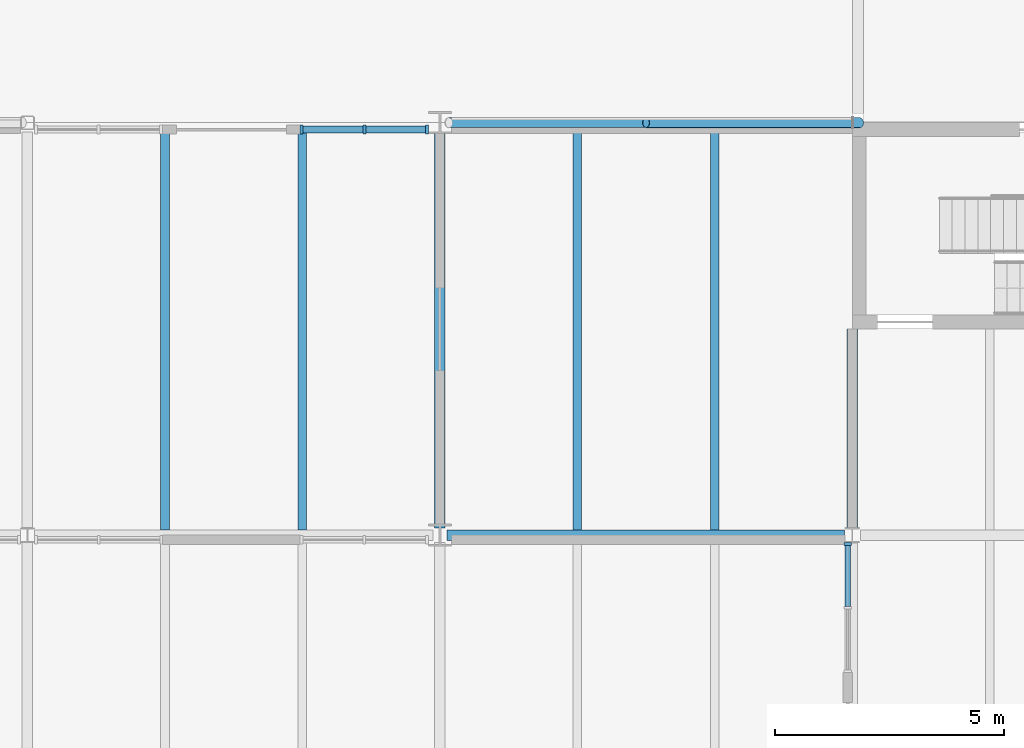
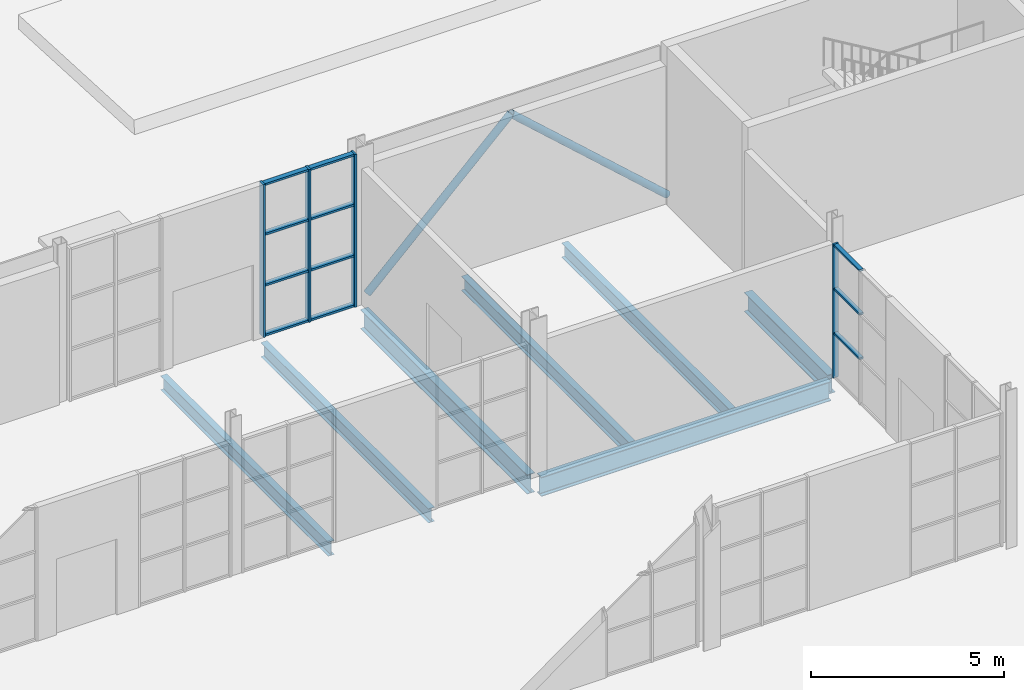
# One storey, part 19 of 63: 17 members, 7 beams, 2 elements without a shape of their own.
"""IFC4 building model written with IfcOpenShell, lengths in metres."""

from ifc_helpers import new_model, si_unit, direction, frame, origin, origin_2d, place, context, subcontext, project, spatial, rectangle, hollow_circle, i_section, extrude, material, layer, layer_set, material_profile, profile_set, type_object, element, aggregate, save


model = new_model("IFC4")

# Units and contexts
model_context = context("Model", 3, precision=1e-05, world=origin(), true_north=direction((0.0, 1.0)))
body_context = subcontext(model_context, "Body", "Model", "MODEL_VIEW")
ifc_project = project(units=[si_unit("LENGTHUNIT", "METRE"), si_unit("AREAUNIT", "SQUARE_METRE"), si_unit("VOLUMEUNIT", "CUBIC_METRE"), si_unit("PLANEANGLEUNIT", "RADIAN"), si_unit("MASSUNIT", "GRAM", prefix="KILO")], contexts=[model_context])

# Site, building, storey
site_placement = place(None, origin())
site = spatial("IfcSite", under=ifc_project, at=site_placement, CompositionType="ELEMENT")
building_placement = place(site_placement, origin())
building = spatial("IfcBuilding", under=site, at=building_placement, Name="Halyard Row Museum", CompositionType="ELEMENT")
storey_placement = place(building_placement, origin())
storey = spatial("IfcBuildingStorey", under=building, at=storey_placement, Name="L00", CompositionType="ELEMENT", Elevation=0.0)

# Members
ifc_material_1 = material(Name="Steel Grade C350L0", Category="steel")
ifc_material_profile_1 = material_profile(ifc_material_1, hollow_circle(Radius=0.109619140625, WallThickness=0.00830078125, at=origin_2d()), Name="219.1x8.2CHS")
ifc_profile_set_1 = profile_set([ifc_material_profile_1], Name="Steel Grade C350L0")
member_type_1 = type_object("IfcMemberType", Name="Brace 219.1x8.2CHS", PredefinedType="BRACE", material=ifc_profile_set_1)
member_1_placement = place(storey_placement, frame((54.199951171875, 45.0, 0.109619140625), z_axis=(0.715770057634, 0.0, 0.698336039879), x_axis=(0.0, 1.0, 0.0)))
element("IfcMember", 1, at=member_1_placement, inside=storey, type_object=member_type_1, Name="Brace L00 Y45 54-63 A", PredefinedType="BRACE", context=body_context, shape_type="SweptSolid", body=[
    extrude(hollow_circle(Radius=0.109619140625, WallThickness=0.00830078125, at=origin_2d()), origin(), (0.0, 0.0, 1.0), 6.007568359375),
])
member_2_placement = place(storey_placement, frame((63.169921875, 45.0, 0.109619140625), z_axis=(-0.744148559148, 0.0, 0.668014162962), x_axis=(0.0, -1.0, 0.0)))
element("IfcMember", 2, at=member_2_placement, inside=storey, type_object=member_type_1, Name="Brace L00 Y45 54-63 B", PredefinedType="BRACE", context=body_context, shape_type="SweptSolid", body=[
    extrude(hollow_circle(Radius=0.109619140625, WallThickness=0.00830078125, at=origin_2d()), origin(), (0.0, 0.0, 1.0), 6.275634765625),
])

# Curtain wall, members
ifc_material_2 = material(Name="Double glazed unit, low-emissivity", Category="glass")
ifc_layer_1 = layer(ifc_material_2, 0.199951171875)
ifc_layer_set_1 = layer_set([ifc_layer_1], Name="Double glazed unit, low-emissivity")
curtain_wall_type_1 = type_object("IfcCurtainWallType", Name="Curtain wall shopfront 200 deep", PredefinedType="NOTDEFINED", material=ifc_layer_set_1)
curtain_wall_1_placement = place(storey_placement, origin())
curtain_wall_1 = element("IfcCurtainWall", 3, at=curtain_wall_1_placement, inside=storey, type_object=curtain_wall_type_1, Name="Curtain wall CW009", PredefinedType="NOTDEFINED")
ifc_material_3 = material(Name="Powder-coated aluminium section", Category="aluminium")
ifc_material_profile_2 = material_profile(ifc_material_3, rectangle(XDim=0.199951171875, YDim=0.06494140625, at=origin_2d()), Name="200x65 mullion")
ifc_profile_set_2 = profile_set([ifc_material_profile_2], Name="Powder-coated aluminium section")
member_type_2 = type_object("IfcMemberType", Name="Curtain wall mullion CM1 65 x 200", PredefinedType="MULLION", material=ifc_profile_set_2)
member_3_placement = place(storey_placement, frame((53.717529296875, 44.85009765625, 0.0), z_axis=(0.0, 0.0, 1.0), x_axis=(0.0, -1.0, 0.0)))
member_3 = element("IfcMember", 4, at=member_3_placement, type_object=member_type_2, Name="CW009 mullion 1", PredefinedType="MULLION", context=body_context, shape_type="SweptSolid", body=[
    extrude(rectangle(XDim=0.199951171875, YDim=0.06494140625, at=origin_2d()), origin(), (0.0, 0.0, 1.0), 4.8349609375),
])
member_4_placement = place(storey_placement, frame((52.35009765625, 44.85009765625, 0.0), z_axis=(0.0, 0.0, 1.0), x_axis=(0.0, -1.0, 0.0)))
member_4 = element("IfcMember", 5, at=member_4_placement, type_object=member_type_2, Name="CW009 mullion 2", PredefinedType="MULLION", context=body_context, shape_type="SweptSolid", body=[
    extrude(rectangle(XDim=0.199951171875, YDim=0.06494140625, at=origin_2d()), origin(), (0.0, 0.0, 1.0), 4.8349609375),
])
member_5_placement = place(storey_placement, frame((50.982421875, 44.85009765625, 0.0), z_axis=(0.0, 0.0, 1.0), x_axis=(0.0, -1.0, 0.0)))
member_5 = element("IfcMember", 6, at=member_5_placement, type_object=member_type_2, Name="CW009 mullion 3", PredefinedType="MULLION", context=body_context, shape_type="SweptSolid", body=[
    extrude(rectangle(XDim=0.199951171875, YDim=0.06494140625, at=origin_2d()), origin(), (0.0, 0.0, 1.0), 4.8349609375),
])

# Curtain wall, member
ifc_material_4 = material(Name="Fire-resisting laminated glazing", Category="glass")
ifc_layer_2 = layer(ifc_material_4, 0.159912109375)
ifc_layer_set_2 = layer_set([ifc_layer_2], Name="Fire-resisting laminated glazing")
curtain_wall_type_2 = type_object("IfcCurtainWallType", Name="Curtain wall atrium screen 160 deep", PredefinedType="NOTDEFINED", material=ifc_layer_set_2)
curtain_wall_2_placement = place(storey_placement, origin())
curtain_wall_2 = element("IfcCurtainWall", 7, at=curtain_wall_2_placement, inside=storey, type_object=curtain_wall_type_2, Name="Curtain wall CW129", PredefinedType="NOTDEFINED")
ifc_material_5 = material(Name="Powder-coated aluminium section", Category="aluminium")
ifc_material_profile_3 = material_profile(ifc_material_5, rectangle(XDim=0.159912109375, YDim=0.06005859375, at=origin_2d()), Name="160x60 mullion")
ifc_profile_set_3 = profile_set([ifc_material_profile_3], Name="Powder-coated aluminium section")
member_type_3 = type_object("IfcMemberType", Name="Curtain wall mullion CM5 60 x 160", PredefinedType="MULLION", material=ifc_profile_set_3)
member_6_placement = place(storey_placement, frame((62.89990234375, 35.806396484375, 0.0), z_axis=(0.0, 0.0, 1.0), x_axis=(-1.0, 0.0, 0.0)))
member_6 = element("IfcMember", 8, at=member_6_placement, type_object=member_type_3, Name="CW129 mullion 3", PredefinedType="MULLION", context=body_context, shape_type="SweptSolid", body=[
    extrude(rectangle(XDim=0.159912109375, YDim=0.06005859375, at=origin_2d()), origin(), (0.0, 0.0, 1.0), 4.22802734375),
])

# Member
ifc_material_6 = material(Name="Powder-coated aluminium section", Category="aluminium")
ifc_material_profile_4 = material_profile(ifc_material_6, rectangle(XDim=0.14990234375, YDim=0.06494140625, at=origin_2d()), Name="150x65 transom")
ifc_profile_set_4 = profile_set([ifc_material_profile_4], Name="Powder-coated aluminium section")
member_type_4 = type_object("IfcMemberType", Name="Curtain wall transom CT1 65 x 150", PredefinedType="USERDEFINED", material=ifc_profile_set_4)
member_7_placement = place(storey_placement, frame((53.68505859375, 44.85009765625, 0.032470703125), z_axis=(-1.0, 0.0, 0.0), x_axis=(0.0, -1.0, 0.0)))
member_7 = element("IfcMember", 9, at=member_7_placement, type_object=member_type_4, Name="CW009 transom 1.1", ObjectType="TRANSOM", PredefinedType="USERDEFINED", context=body_context, shape_type="SweptSolid", body=[
    extrude(rectangle(XDim=0.14990234375, YDim=0.06494140625, at=origin_2d()), origin(), (0.0, 0.0, 1.0), 1.302490234375),
])

member_8_placement = place(storey_placement, frame((53.68505859375, 44.85009765625, 1.611572265625), z_axis=(-1.0, 0.0, 0.0), x_axis=(0.0, -1.0, 0.0)))
member_8 = element("IfcMember", 10, at=member_8_placement, type_object=member_type_4, Name="CW009 transom 1.2", ObjectType="TRANSOM", PredefinedType="USERDEFINED", context=body_context, shape_type="SweptSolid", body=[
    extrude(rectangle(XDim=0.14990234375, YDim=0.06494140625, at=origin_2d()), origin(), (0.0, 0.0, 1.0), 1.302490234375),
])

member_9_placement = place(storey_placement, frame((53.68505859375, 44.85009765625, 3.223388671875), z_axis=(-1.0, 0.0, 0.0), x_axis=(0.0, -1.0, 0.0)))
member_9 = element("IfcMember", 11, at=member_9_placement, type_object=member_type_4, Name="CW009 transom 1.3", ObjectType="TRANSOM", PredefinedType="USERDEFINED", context=body_context, shape_type="SweptSolid", body=[
    extrude(rectangle(XDim=0.14990234375, YDim=0.06494140625, at=origin_2d()), origin(), (0.0, 0.0, 1.0), 1.302490234375),
])

member_10_placement = place(storey_placement, frame((53.68505859375, 44.85009765625, 4.802490234375), z_axis=(-1.0, 0.0, 0.0), x_axis=(0.0, -1.0, 0.0)))
member_10 = element("IfcMember", 12, at=member_10_placement, type_object=member_type_4, Name="CW009 transom 1.4", ObjectType="TRANSOM", PredefinedType="USERDEFINED", context=body_context, shape_type="SweptSolid", body=[
    extrude(rectangle(XDim=0.14990234375, YDim=0.06494140625, at=origin_2d()), origin(), (0.0, 0.0, 1.0), 1.302490234375),
])

member_11_placement = place(storey_placement, frame((52.3173828125, 44.85009765625, 0.032470703125), z_axis=(-1.0, 0.0, 0.0), x_axis=(0.0, -1.0, 0.0)))
member_11 = element("IfcMember", 13, at=member_11_placement, type_object=member_type_4, Name="CW009 transom 2.1", ObjectType="TRANSOM", PredefinedType="USERDEFINED", context=body_context, shape_type="SweptSolid", body=[
    extrude(rectangle(XDim=0.14990234375, YDim=0.06494140625, at=origin_2d()), origin(), (0.0, 0.0, 1.0), 1.302490234375),
])

member_12_placement = place(storey_placement, frame((52.3173828125, 44.85009765625, 1.611572265625), z_axis=(-1.0, 0.0, 0.0), x_axis=(0.0, -1.0, 0.0)))
member_12 = element("IfcMember", 14, at=member_12_placement, type_object=member_type_4, Name="CW009 transom 2.2", ObjectType="TRANSOM", PredefinedType="USERDEFINED", context=body_context, shape_type="SweptSolid", body=[
    extrude(rectangle(XDim=0.14990234375, YDim=0.06494140625, at=origin_2d()), origin(), (0.0, 0.0, 1.0), 1.302490234375),
])

member_13_placement = place(storey_placement, frame((52.3173828125, 44.85009765625, 3.223388671875), z_axis=(-1.0, 0.0, 0.0), x_axis=(0.0, -1.0, 0.0)))
member_13 = element("IfcMember", 15, at=member_13_placement, type_object=member_type_4, Name="CW009 transom 2.3", ObjectType="TRANSOM", PredefinedType="USERDEFINED", context=body_context, shape_type="SweptSolid", body=[
    extrude(rectangle(XDim=0.14990234375, YDim=0.06494140625, at=origin_2d()), origin(), (0.0, 0.0, 1.0), 1.302490234375),
])

member_14_placement = place(storey_placement, frame((52.3173828125, 44.85009765625, 4.802490234375), z_axis=(-1.0, 0.0, 0.0), x_axis=(0.0, -1.0, 0.0)))
member_14 = element("IfcMember", 16, at=member_14_placement, type_object=member_type_4, Name="CW009 transom 2.4", ObjectType="TRANSOM", PredefinedType="USERDEFINED", context=body_context, shape_type="SweptSolid", body=[
    extrude(rectangle(XDim=0.14990234375, YDim=0.06494140625, at=origin_2d()), origin(), (0.0, 0.0, 1.0), 1.302490234375),
])

aggregate(curtain_wall_1, [member_3, member_4, member_5, member_7, member_8, member_9, member_10, member_11, member_12, member_13, member_14])

ifc_material_7 = material(Name="Powder-coated aluminium section", Category="aluminium")
ifc_material_profile_5 = material_profile(ifc_material_7, rectangle(XDim=0.1201171875, YDim=0.06005859375, at=origin_2d()), Name="120x60 transom")
ifc_profile_set_5 = profile_set([ifc_material_profile_5], Name="Powder-coated aluminium section")
member_type_5 = type_object("IfcMemberType", Name="Curtain wall transom CT5 60 x 120", PredefinedType="USERDEFINED", material=ifc_profile_set_5)
member_15_placement = place(storey_placement, frame((62.89990234375, 34.4482421875, 1.409423828125), z_axis=(0.0, 1.0, 0.0), x_axis=(-1.0, 0.0, 0.0)))
member_15 = element("IfcMember", 17, at=member_15_placement, type_object=member_type_5, Name="CW129 transom 2.2", ObjectType="TRANSOM", PredefinedType="USERDEFINED", context=body_context, shape_type="SweptSolid", body=[
    extrude(rectangle(XDim=0.1201171875, YDim=0.06005859375, at=origin_2d()), origin(), (0.0, 0.0, 1.0), 1.328125),
])

member_16_placement = place(storey_placement, frame((62.89990234375, 34.4482421875, 2.818603515625), z_axis=(0.0, 1.0, 0.0), x_axis=(-1.0, 0.0, 0.0)))
member_16 = element("IfcMember", 18, at=member_16_placement, type_object=member_type_5, Name="CW129 transom 2.3", ObjectType="TRANSOM", PredefinedType="USERDEFINED", context=body_context, shape_type="SweptSolid", body=[
    extrude(rectangle(XDim=0.1201171875, YDim=0.06005859375, at=origin_2d()), origin(), (0.0, 0.0, 1.0), 1.328125),
])

member_17_placement = place(storey_placement, frame((62.89990234375, 34.4482421875, 4.197998046875), z_axis=(0.0, 1.0, 0.0), x_axis=(-1.0, 0.0, 0.0)))
member_17 = element("IfcMember", 19, at=member_17_placement, type_object=member_type_5, Name="CW129 transom 2.4", ObjectType="TRANSOM", PredefinedType="USERDEFINED", context=body_context, shape_type="SweptSolid", body=[
    extrude(rectangle(XDim=0.1201171875, YDim=0.06005859375, at=origin_2d()), origin(), (0.0, 0.0, 1.0), 1.328125),
])

aggregate(curtain_wall_2, [member_6, member_15, member_16, member_17])

# Beams
ifc_material_8 = material(Name="Steel Grade 300", Category="steel")
ifc_material_profile_6 = material_profile(ifc_material_8, i_section(OverallWidth=0.22900390625, OverallDepth=0.611572265625, WebThickness=0.011962890625, FlangeThickness=0.01953125, FilletRadius=0.013916015625, at=origin_2d()), Name="610UB125")
ifc_profile_set_6 = profile_set([ifc_material_profile_6], Name="Steel Grade 300")
beam_type_1 = type_object("IfcBeamType", Name="Girder beam 610UB125", PredefinedType="BEAM", material=ifc_profile_set_6)
beam_1_placement = place(storey_placement, frame((54.154541015625, 36.0, -0.470703125), z_axis=(1.0, 0.0, 0.0), x_axis=(0.0, 1.0, 0.0)))
element("IfcBeam", 20, at=beam_1_placement, inside=storey, type_object=beam_type_1, Name="Beam L00-028", PredefinedType="BEAM", context=body_context, shape_type="SweptSolid", body=[
    extrude(i_section(OverallWidth=0.22900390625, OverallDepth=0.611572265625, WebThickness=0.011962890625, FlangeThickness=0.01953125, FilletRadius=0.013916015625, at=origin_2d()), origin(), (0.0, 0.0, 1.0), 8.67041015625),
])
beam_2_placement = place(storey_placement, frame((54.0, 36.160400390625, -0.470703125), z_axis=(0.0, 1.0, 0.0), x_axis=(-1.0, 0.0, 0.0)))
element("IfcBeam", 21, at=beam_2_placement, inside=storey, type_object=beam_type_1, Name="Beam L00-055", PredefinedType="BEAM", context=body_context, shape_type="SweptSolid", body=[
    extrude(i_section(OverallWidth=0.22900390625, OverallDepth=0.611572265625, WebThickness=0.011962890625, FlangeThickness=0.01953125, FilletRadius=0.013916015625, at=origin_2d()), origin(), (0.0, 0.0, 1.0), 8.6396484375),
])
beam_3_placement = place(storey_placement, frame((63.0, 36.16943359375, -0.470703125), z_axis=(0.0, 1.0, 0.0), x_axis=(-1.0, 0.0, 0.0)))
element("IfcBeam", 22, at=beam_3_placement, inside=storey, type_object=beam_type_1, Name="Beam L00-058", PredefinedType="BEAM", context=body_context, shape_type="SweptSolid", body=[
    extrude(i_section(OverallWidth=0.22900390625, OverallDepth=0.611572265625, WebThickness=0.011962890625, FlangeThickness=0.01953125, FilletRadius=0.013916015625, at=origin_2d()), origin(), (0.0, 0.0, 1.0), 4.33056640625),
])
ifc_material_9 = material(Name="Steel Grade 300", Category="steel")
ifc_material_profile_7 = material_profile(ifc_material_9, i_section(OverallWidth=0.18994140625, OverallDepth=0.453857421875, WebThickness=0.008544921875, FlangeThickness=0.0126953125, FilletRadius=0.011474609375, at=origin_2d()), Name="460UB67.1")
ifc_profile_set_7 = profile_set([ifc_material_profile_7], Name="Steel Grade 300")
beam_type_2 = type_object("IfcBeamType", Name="Secondary beam 460UB67.1", PredefinedType="BEAM", material=ifc_profile_set_7)
for number, where, z_axis, x_axis, name in (
    (23, (48.0, 36.114501953125, -0.391845703125), (0.0, 1.0, 0.0), (-1.0, 0.0, 0.0), "Beam L00-149"),
    (24, (51.0, 36.114501953125, -0.391845703125), (0.0, 1.0, 0.0), (-1.0, 0.0, 0.0), "Beam L00-150"),
    (25, (57.0, 36.114501953125, -0.391845703125), (0.0, 1.0, 0.0), (-1.0, 0.0, 0.0), "Beam L00-151"),
    (26, (60.0, 36.114501953125, -0.391845703125), (0.0, 1.0, 0.0), (-1.0, 0.0, 0.0), "Beam L00-152"),
):
    element("IfcBeam", number, at=place(storey_placement, frame(where, z_axis=z_axis, x_axis=x_axis)), inside=storey, type_object=beam_type_2, Name=name, PredefinedType="BEAM", context=body_context, shape_type="SweptSolid", body=[
        extrude(i_section(OverallWidth=0.18994140625, OverallDepth=0.453857421875, WebThickness=0.008544921875, FlangeThickness=0.0126953125, FilletRadius=0.011474609375, at=origin_2d()), origin(), (0.0, 0.0, 1.0), 8.685546875),
    ])

save(model, "model.ifc")
